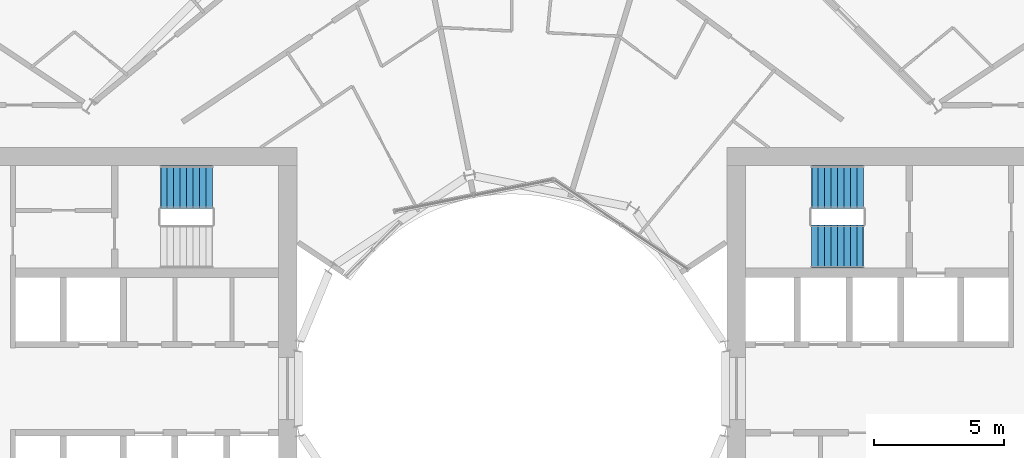
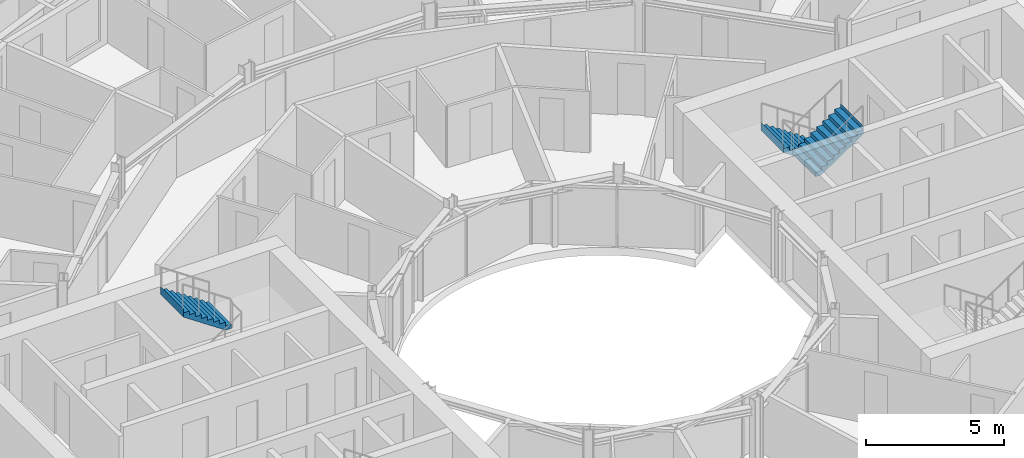
# One storey, part 24 of 26: 3 stair flights, 2 elements without a shape of their own.
"""IFC4 building model written with IfcOpenShell, lengths in metres."""

from ifc_helpers import new_model, si_unit, direction, frame, origin, place, context, subcontext, project, spatial, triangles, material, type_object, element, aggregate, save


model = new_model("IFC4")

# Units and contexts
model_context = context("Model", 3, precision=1e-05, world=origin(), true_north=direction((0.0, 1.0)))
body_context = subcontext(model_context, "Body", "Model", "MODEL_VIEW")
ifc_project = project(units=[si_unit("LENGTHUNIT", "METRE"), si_unit("AREAUNIT", "SQUARE_METRE"), si_unit("VOLUMEUNIT", "CUBIC_METRE"), si_unit("PLANEANGLEUNIT", "RADIAN"), si_unit("MASSUNIT", "GRAM", prefix="KILO")], contexts=[model_context])

# Site, building, storey
site_placement = place(None, origin())
site = spatial("IfcSite", under=ifc_project, at=site_placement, CompositionType="ELEMENT")
building_placement = place(site_placement, origin())
building = spatial("IfcBuilding", under=site, at=building_placement, Name="Maasbend Ring Residences", CompositionType="ELEMENT")
storey_placement = place(building_placement, frame((0.0, 0.0, 91.050048828125)))
storey = spatial("IfcBuildingStorey", under=building, at=storey_placement, Name="L26", CompositionType="ELEMENT", Elevation=91.050048828125)

# Stair, stair flights
ifc_material_1 = material(Name="Concrete C40/50", Category="concrete")
stair_type = type_object("IfcStairType", Name="CORE STAIR 18 RISERS", PredefinedType="HALF_TURN_STAIR", material=ifc_material_1)
stair_1_placement = place(storey_placement, origin())
stair_1 = element("IfcStair", 1, at=stair_1_placement, inside=storey, type_object=stair_type, Name="L26 Exit stair ST-E1", PredefinedType="HALF_TURN_STAIR")
ifc_material_2 = material(Name="Concrete C40/50", Category="concrete")
stair_flight_type = type_object("IfcStairFlightType", Name="CORE STAIR FLIGHT 1650", PredefinedType="STRAIGHT", material=ifc_material_2)
stair_flight_1_placement = place(storey_placement, frame((13.550048828125, 7.77490234375, 0.0), z_axis=(0.0, 0.0, 1.0), x_axis=(-1.0, 0.0, 0.0)))
stair_flight_1 = element("IfcStairFlight", 2, at=stair_flight_1_placement, type_object=stair_flight_type, Name="ST-E1 flight 1", NumberOfRisers=9, NumberOfTreads=8, PredefinedType="STRAIGHT", RiserHeight=0.169444444, TreadLength=0.25, context=body_context, shape_type="Tessellation", body=[
    triangles([(0.24072265625, 0.824951171875, -0.02001953125), (2.0029296875, 0.824951171875, 1.174560546875), (2.0029296875, 0.824951171875, 1.52490234375), (1.989990234375, 0.824951171875, 1.35546875), (1.75, 0.824951171875, 1.35546875), (1.75, 0.824951171875, 1.18603515625), (1.5, 0.824951171875, 1.18603515625), (1.5, 0.824951171875, 1.0166015625), (1.25, 0.824951171875, 1.0166015625), (1.25, 0.824951171875, 0.84716796875), (1.0, 0.824951171875, 0.84716796875), (1.0, 0.824951171875, 0.677734375), (0.75, 0.824951171875, 0.677734375), (0.75, 0.824951171875, 0.50830078125), (0.5, 0.824951171875, 0.50830078125), (0.5, 0.824951171875, 0.3388671875), (0.25, 0.824951171875, 0.3388671875), (0.25, 0.824951171875, 0.16943359375), (0.0, 0.824951171875, 0.16943359375), (0.0, 0.824951171875, 0.0), (-0.0029296875, 0.824951171875, 0.0), (-0.0029296875, 0.824951171875, -0.02001953125), (0.24072265625, 0.27490234375, -0.02001953125), (2.0029296875, 0.27490234375, 1.174560546875), (2.0029296875, 0.27490234375, 1.52490234375), (1.989990234375, 0.27490234375, 1.35546875), (1.75, 0.27490234375, 1.35546875), (1.75, 0.27490234375, 1.18603515625), (1.5, 0.27490234375, 1.18603515625), (1.5, 0.27490234375, 1.0166015625), (1.25, 0.27490234375, 1.0166015625), (1.25, 0.27490234375, 0.84716796875), (1.0, 0.27490234375, 0.84716796875), (1.0, 0.27490234375, 0.677734375), (0.75, 0.27490234375, 0.677734375), (0.75, 0.27490234375, 0.50830078125), (0.5, 0.27490234375, 0.50830078125), (0.5, 0.27490234375, 0.3388671875), (0.25, 0.27490234375, 0.3388671875), (0.25, 0.27490234375, 0.16943359375), (0.0, 0.27490234375, 0.16943359375), (0.0, 0.27490234375, 0.0), (-0.0029296875, 0.27490234375, 0.0), (-0.0029296875, 0.27490234375, -0.02001953125), (0.24072265625, -0.27490234375, -0.02001953125), (2.0029296875, -0.27490234375, 1.174560546875), (2.0029296875, -0.27490234375, 1.52490234375), (1.989990234375, -0.27490234375, 1.35546875), (1.75, -0.27490234375, 1.35546875), (1.75, -0.27490234375, 1.18603515625), (1.5, -0.27490234375, 1.18603515625), (1.5, -0.27490234375, 1.0166015625), (1.25, -0.27490234375, 1.0166015625), (1.25, -0.27490234375, 0.84716796875), (1.0, -0.27490234375, 0.84716796875), (1.0, -0.27490234375, 0.677734375), (0.75, -0.27490234375, 0.677734375), (0.75, -0.27490234375, 0.50830078125), (0.5, -0.27490234375, 0.50830078125), (0.5, -0.27490234375, 0.3388671875), (0.25, -0.27490234375, 0.3388671875), (0.25, -0.27490234375, 0.16943359375), (0.0, -0.27490234375, 0.16943359375), (0.0, -0.27490234375, 0.0), (-0.0029296875, -0.27490234375, 0.0), (-0.0029296875, -0.27490234375, -0.02001953125), (0.24072265625, -0.824951171875, -0.02001953125), (2.0029296875, -0.824951171875, 1.174560546875), (2.0029296875, -0.824951171875, 1.52490234375), (1.989990234375, -0.824951171875, 1.35546875), (1.75, -0.824951171875, 1.35546875), (1.75, -0.824951171875, 1.18603515625), (1.5, -0.824951171875, 1.18603515625), (1.5, -0.824951171875, 1.0166015625), (1.25, -0.824951171875, 1.0166015625), (1.25, -0.824951171875, 0.84716796875), (1.0, -0.824951171875, 0.84716796875), (1.0, -0.824951171875, 0.677734375), (0.75, -0.824951171875, 0.677734375), (0.75, -0.824951171875, 0.50830078125), (0.5, -0.824951171875, 0.50830078125), (0.5, -0.824951171875, 0.3388671875), (0.25, -0.824951171875, 0.3388671875), (0.25, -0.824951171875, 0.16943359375), (0.0, -0.824951171875, 0.16943359375), (0.0, -0.824951171875, 0.0), (-0.0029296875, -0.824951171875, 0.0), (-0.0029296875, -0.824951171875, -0.02001953125)], [[1, 2, 24], [1, 24, 23], [23, 24, 46], [23, 46, 45], [45, 46, 68], [45, 68, 67], [2, 3, 25], [2, 25, 24], [24, 25, 47], [24, 47, 46], [46, 47, 69], [46, 69, 68], [3, 4, 26], [3, 26, 25], [25, 26, 48], [25, 48, 47], [47, 48, 70], [47, 70, 69], [4, 5, 27], [4, 27, 26], [26, 27, 49], [26, 49, 48], [48, 49, 71], [48, 71, 70], [5, 6, 28], [5, 28, 27], [27, 28, 50], [27, 50, 49], [49, 50, 72], [49, 72, 71], [6, 7, 29], [6, 29, 28], [28, 29, 51], [28, 51, 50], [50, 51, 73], [50, 73, 72], [7, 8, 30], [7, 30, 29], [29, 30, 52], [29, 52, 51], [51, 52, 74], [51, 74, 73], [8, 9, 31], [8, 31, 30], [30, 31, 53], [30, 53, 52], [52, 53, 75], [52, 75, 74], [9, 10, 32], [9, 32, 31], [31, 32, 54], [31, 54, 53], [53, 54, 76], [53, 76, 75], [10, 11, 33], [10, 33, 32], [32, 33, 55], [32, 55, 54], [54, 55, 77], [54, 77, 76], [11, 12, 34], [11, 34, 33], [33, 34, 56], [33, 56, 55], [55, 56, 78], [55, 78, 77], [12, 13, 35], [12, 35, 34], [34, 35, 57], [34, 57, 56], [56, 57, 79], [56, 79, 78], [13, 14, 36], [13, 36, 35], [35, 36, 58], [35, 58, 57], [57, 58, 80], [57, 80, 79], [14, 15, 37], [14, 37, 36], [36, 37, 59], [36, 59, 58], [58, 59, 81], [58, 81, 80], [15, 16, 38], [15, 38, 37], [37, 38, 60], [37, 60, 59], [59, 60, 82], [59, 82, 81], [16, 17, 39], [16, 39, 38], [38, 39, 61], [38, 61, 60], [60, 61, 83], [60, 83, 82], [17, 18, 40], [17, 40, 39], [39, 40, 62], [39, 62, 61], [61, 62, 84], [61, 84, 83], [18, 19, 41], [18, 41, 40], [40, 41, 63], [40, 63, 62], [62, 63, 85], [62, 85, 84], [19, 20, 42], [19, 42, 41], [41, 42, 64], [41, 64, 63], [63, 64, 86], [63, 86, 85], [20, 21, 43], [20, 43, 42], [42, 43, 65], [42, 65, 64], [64, 65, 87], [64, 87, 86], [21, 22, 44], [21, 44, 43], [43, 44, 66], [43, 66, 65], [65, 66, 88], [65, 88, 87], [22, 1, 23], [22, 23, 44], [44, 23, 45], [44, 45, 66], [66, 45, 67], [66, 67, 88], [22, 2, 1], [2, 4, 3], [2, 5, 4], [2, 6, 5], [22, 6, 2], [6, 8, 7], [22, 8, 6], [8, 10, 9], [22, 10, 8], [10, 12, 11], [22, 12, 10], [12, 14, 13], [22, 14, 12], [14, 16, 15], [22, 16, 14], [16, 18, 17], [22, 18, 16], [18, 20, 19], [22, 20, 18], [20, 22, 21], [88, 67, 68], [68, 69, 70], [68, 70, 71], [68, 71, 72], [88, 68, 72], [72, 73, 74], [88, 72, 74], [74, 75, 76], [88, 74, 76], [76, 77, 78], [88, 76, 78], [78, 79, 80], [88, 78, 80], [80, 81, 82], [88, 80, 82], [82, 83, 84], [88, 82, 84], [84, 85, 86], [88, 84, 86], [86, 87, 88]], closed=True),
])
stair_flight_2_placement = place(storey_placement, frame((11.550048828125, 5.47509765625, 1.52490234375), z_axis=(0.0, 0.0, 1.0), x_axis=(1.0, 0.0, 0.0)))
stair_flight_2 = element("IfcStairFlight", 3, at=stair_flight_2_placement, type_object=stair_flight_type, Name="ST-E1 flight 2", NumberOfRisers=9, NumberOfTreads=8, PredefinedType="STRAIGHT", RiserHeight=0.169444444, TreadLength=0.25, context=body_context, shape_type="Tessellation", body=[
    triangles([(0.24072265625, 0.824951171875, -0.02001953125), (2.0029296875, 0.824951171875, 1.174560546875), (2.0029296875, 0.824951171875, 1.52490234375), (1.989990234375, 0.824951171875, 1.35546875), (1.75, 0.824951171875, 1.35546875), (1.75, 0.824951171875, 1.18603515625), (1.5, 0.824951171875, 1.18603515625), (1.5, 0.824951171875, 1.0166015625), (1.25, 0.824951171875, 1.0166015625), (1.25, 0.824951171875, 0.84716796875), (1.0, 0.824951171875, 0.84716796875), (1.0, 0.824951171875, 0.677734375), (0.75, 0.824951171875, 0.677734375), (0.75, 0.824951171875, 0.50830078125), (0.5, 0.824951171875, 0.50830078125), (0.5, 0.824951171875, 0.3388671875), (0.25, 0.824951171875, 0.3388671875), (0.25, 0.824951171875, 0.16943359375), (0.0, 0.824951171875, 0.16943359375), (0.0, 0.824951171875, 0.0), (-0.0029296875, 0.824951171875, 0.0), (-0.0029296875, 0.824951171875, -0.02001953125), (0.24072265625, 0.27490234375, -0.02001953125), (2.0029296875, 0.27490234375, 1.174560546875), (2.0029296875, 0.27490234375, 1.52490234375), (1.989990234375, 0.27490234375, 1.35546875), (1.75, 0.27490234375, 1.35546875), (1.75, 0.27490234375, 1.18603515625), (1.5, 0.27490234375, 1.18603515625), (1.5, 0.27490234375, 1.0166015625), (1.25, 0.27490234375, 1.0166015625), (1.25, 0.27490234375, 0.84716796875), (1.0, 0.27490234375, 0.84716796875), (1.0, 0.27490234375, 0.677734375), (0.75, 0.27490234375, 0.677734375), (0.75, 0.27490234375, 0.50830078125), (0.5, 0.27490234375, 0.50830078125), (0.5, 0.27490234375, 0.3388671875), (0.25, 0.27490234375, 0.3388671875), (0.25, 0.27490234375, 0.16943359375), (0.0, 0.27490234375, 0.16943359375), (0.0, 0.27490234375, 0.0), (-0.0029296875, 0.27490234375, 0.0), (-0.0029296875, 0.27490234375, -0.02001953125), (0.24072265625, -0.27490234375, -0.02001953125), (2.0029296875, -0.27490234375, 1.174560546875), (2.0029296875, -0.27490234375, 1.52490234375), (1.989990234375, -0.27490234375, 1.35546875), (1.75, -0.27490234375, 1.35546875), (1.75, -0.27490234375, 1.18603515625), (1.5, -0.27490234375, 1.18603515625), (1.5, -0.27490234375, 1.0166015625), (1.25, -0.27490234375, 1.0166015625), (1.25, -0.27490234375, 0.84716796875), (1.0, -0.27490234375, 0.84716796875), (1.0, -0.27490234375, 0.677734375), (0.75, -0.27490234375, 0.677734375), (0.75, -0.27490234375, 0.50830078125), (0.5, -0.27490234375, 0.50830078125), (0.5, -0.27490234375, 0.3388671875), (0.25, -0.27490234375, 0.3388671875), (0.25, -0.27490234375, 0.16943359375), (0.0, -0.27490234375, 0.16943359375), (0.0, -0.27490234375, 0.0), (-0.0029296875, -0.27490234375, 0.0), (-0.0029296875, -0.27490234375, -0.02001953125), (0.24072265625, -0.824951171875, -0.02001953125), (2.0029296875, -0.824951171875, 1.174560546875), (2.0029296875, -0.824951171875, 1.52490234375), (1.989990234375, -0.824951171875, 1.35546875), (1.75, -0.824951171875, 1.35546875), (1.75, -0.824951171875, 1.18603515625), (1.5, -0.824951171875, 1.18603515625), (1.5, -0.824951171875, 1.0166015625), (1.25, -0.824951171875, 1.0166015625), (1.25, -0.824951171875, 0.84716796875), (1.0, -0.824951171875, 0.84716796875), (1.0, -0.824951171875, 0.677734375), (0.75, -0.824951171875, 0.677734375), (0.75, -0.824951171875, 0.50830078125), (0.5, -0.824951171875, 0.50830078125), (0.5, -0.824951171875, 0.3388671875), (0.25, -0.824951171875, 0.3388671875), (0.25, -0.824951171875, 0.16943359375), (0.0, -0.824951171875, 0.16943359375), (0.0, -0.824951171875, 0.0), (-0.0029296875, -0.824951171875, 0.0), (-0.0029296875, -0.824951171875, -0.02001953125)], [[1, 2, 24], [1, 24, 23], [23, 24, 46], [23, 46, 45], [45, 46, 68], [45, 68, 67], [2, 3, 25], [2, 25, 24], [24, 25, 47], [24, 47, 46], [46, 47, 69], [46, 69, 68], [3, 4, 26], [3, 26, 25], [25, 26, 48], [25, 48, 47], [47, 48, 70], [47, 70, 69], [4, 5, 27], [4, 27, 26], [26, 27, 49], [26, 49, 48], [48, 49, 71], [48, 71, 70], [5, 6, 28], [5, 28, 27], [27, 28, 50], [27, 50, 49], [49, 50, 72], [49, 72, 71], [6, 7, 29], [6, 29, 28], [28, 29, 51], [28, 51, 50], [50, 51, 73], [50, 73, 72], [7, 8, 30], [7, 30, 29], [29, 30, 52], [29, 52, 51], [51, 52, 74], [51, 74, 73], [8, 9, 31], [8, 31, 30], [30, 31, 53], [30, 53, 52], [52, 53, 75], [52, 75, 74], [9, 10, 32], [9, 32, 31], [31, 32, 54], [31, 54, 53], [53, 54, 76], [53, 76, 75], [10, 11, 33], [10, 33, 32], [32, 33, 55], [32, 55, 54], [54, 55, 77], [54, 77, 76], [11, 12, 34], [11, 34, 33], [33, 34, 56], [33, 56, 55], [55, 56, 78], [55, 78, 77], [12, 13, 35], [12, 35, 34], [34, 35, 57], [34, 57, 56], [56, 57, 79], [56, 79, 78], [13, 14, 36], [13, 36, 35], [35, 36, 58], [35, 58, 57], [57, 58, 80], [57, 80, 79], [14, 15, 37], [14, 37, 36], [36, 37, 59], [36, 59, 58], [58, 59, 81], [58, 81, 80], [15, 16, 38], [15, 38, 37], [37, 38, 60], [37, 60, 59], [59, 60, 82], [59, 82, 81], [16, 17, 39], [16, 39, 38], [38, 39, 61], [38, 61, 60], [60, 61, 83], [60, 83, 82], [17, 18, 40], [17, 40, 39], [39, 40, 62], [39, 62, 61], [61, 62, 84], [61, 84, 83], [18, 19, 41], [18, 41, 40], [40, 41, 63], [40, 63, 62], [62, 63, 85], [62, 85, 84], [19, 20, 42], [19, 42, 41], [41, 42, 64], [41, 64, 63], [63, 64, 86], [63, 86, 85], [20, 21, 43], [20, 43, 42], [42, 43, 65], [42, 65, 64], [64, 65, 87], [64, 87, 86], [21, 22, 44], [21, 44, 43], [43, 44, 66], [43, 66, 65], [65, 66, 88], [65, 88, 87], [22, 1, 23], [22, 23, 44], [44, 23, 45], [44, 45, 66], [66, 45, 67], [66, 67, 88], [22, 2, 1], [2, 4, 3], [2, 5, 4], [2, 6, 5], [22, 6, 2], [6, 8, 7], [22, 8, 6], [8, 10, 9], [22, 10, 8], [10, 12, 11], [22, 12, 10], [12, 14, 13], [22, 14, 12], [14, 16, 15], [22, 16, 14], [16, 18, 17], [22, 18, 16], [18, 20, 19], [22, 20, 18], [20, 22, 21], [88, 67, 68], [68, 69, 70], [68, 70, 71], [68, 71, 72], [88, 68, 72], [72, 73, 74], [88, 72, 74], [74, 75, 76], [88, 74, 76], [76, 77, 78], [88, 76, 78], [78, 79, 80], [88, 78, 80], [80, 81, 82], [88, 80, 82], [82, 83, 84], [88, 82, 84], [84, 85, 86], [88, 84, 86], [86, 87, 88]], closed=True),
])
aggregate(stair_1, [stair_flight_1, stair_flight_2])

# Stair, stair flight
stair_2_placement = place(storey_placement, origin())
stair_2 = element("IfcStair", 4, at=stair_2_placement, inside=storey, type_object=stair_type, Name="L26 Exit stair ST-W2", PredefinedType="HALF_TURN_STAIR")
stair_flight_3_placement = place(storey_placement, frame((-11.550048828125, 7.77490234375, 1.52490234375), z_axis=(0.0, 0.0, 1.0), x_axis=(-1.0, 0.0, 0.0)))
stair_flight_3 = element("IfcStairFlight", 5, at=stair_flight_3_placement, type_object=stair_flight_type, Name="ST-W2 flight 2", NumberOfRisers=9, NumberOfTreads=8, PredefinedType="STRAIGHT", RiserHeight=0.169444444, TreadLength=0.25, context=body_context, shape_type="Tessellation", body=[
    triangles([(0.24072265625, 0.824951171875, -0.02001953125), (2.0029296875, 0.824951171875, 1.174560546875), (2.0029296875, 0.824951171875, 1.52490234375), (1.989990234375, 0.824951171875, 1.35546875), (1.75, 0.824951171875, 1.35546875), (1.75, 0.824951171875, 1.18603515625), (1.5, 0.824951171875, 1.18603515625), (1.5, 0.824951171875, 1.0166015625), (1.25, 0.824951171875, 1.0166015625), (1.25, 0.824951171875, 0.84716796875), (1.0, 0.824951171875, 0.84716796875), (1.0, 0.824951171875, 0.677734375), (0.75, 0.824951171875, 0.677734375), (0.75, 0.824951171875, 0.50830078125), (0.5, 0.824951171875, 0.50830078125), (0.5, 0.824951171875, 0.3388671875), (0.25, 0.824951171875, 0.3388671875), (0.25, 0.824951171875, 0.16943359375), (0.0, 0.824951171875, 0.16943359375), (0.0, 0.824951171875, 0.0), (-0.0029296875, 0.824951171875, 0.0), (-0.0029296875, 0.824951171875, -0.02001953125), (0.24072265625, 0.27490234375, -0.02001953125), (2.0029296875, 0.27490234375, 1.174560546875), (2.0029296875, 0.27490234375, 1.52490234375), (1.989990234375, 0.27490234375, 1.35546875), (1.75, 0.27490234375, 1.35546875), (1.75, 0.27490234375, 1.18603515625), (1.5, 0.27490234375, 1.18603515625), (1.5, 0.27490234375, 1.0166015625), (1.25, 0.27490234375, 1.0166015625), (1.25, 0.27490234375, 0.84716796875), (1.0, 0.27490234375, 0.84716796875), (1.0, 0.27490234375, 0.677734375), (0.75, 0.27490234375, 0.677734375), (0.75, 0.27490234375, 0.50830078125), (0.5, 0.27490234375, 0.50830078125), (0.5, 0.27490234375, 0.3388671875), (0.25, 0.27490234375, 0.3388671875), (0.25, 0.27490234375, 0.16943359375), (0.0, 0.27490234375, 0.16943359375), (0.0, 0.27490234375, 0.0), (-0.0029296875, 0.27490234375, 0.0), (-0.0029296875, 0.27490234375, -0.02001953125), (0.24072265625, -0.27490234375, -0.02001953125), (2.0029296875, -0.27490234375, 1.174560546875), (2.0029296875, -0.27490234375, 1.52490234375), (1.989990234375, -0.27490234375, 1.35546875), (1.75, -0.27490234375, 1.35546875), (1.75, -0.27490234375, 1.18603515625), (1.5, -0.27490234375, 1.18603515625), (1.5, -0.27490234375, 1.0166015625), (1.25, -0.27490234375, 1.0166015625), (1.25, -0.27490234375, 0.84716796875), (1.0, -0.27490234375, 0.84716796875), (1.0, -0.27490234375, 0.677734375), (0.75, -0.27490234375, 0.677734375), (0.75, -0.27490234375, 0.50830078125), (0.5, -0.27490234375, 0.50830078125), (0.5, -0.27490234375, 0.3388671875), (0.25, -0.27490234375, 0.3388671875), (0.25, -0.27490234375, 0.16943359375), (0.0, -0.27490234375, 0.16943359375), (0.0, -0.27490234375, 0.0), (-0.0029296875, -0.27490234375, 0.0), (-0.0029296875, -0.27490234375, -0.02001953125), (0.24072265625, -0.824951171875, -0.02001953125), (2.0029296875, -0.824951171875, 1.174560546875), (2.0029296875, -0.824951171875, 1.52490234375), (1.989990234375, -0.824951171875, 1.35546875), (1.75, -0.824951171875, 1.35546875), (1.75, -0.824951171875, 1.18603515625), (1.5, -0.824951171875, 1.18603515625), (1.5, -0.824951171875, 1.0166015625), (1.25, -0.824951171875, 1.0166015625), (1.25, -0.824951171875, 0.84716796875), (1.0, -0.824951171875, 0.84716796875), (1.0, -0.824951171875, 0.677734375), (0.75, -0.824951171875, 0.677734375), (0.75, -0.824951171875, 0.50830078125), (0.5, -0.824951171875, 0.50830078125), (0.5, -0.824951171875, 0.3388671875), (0.25, -0.824951171875, 0.3388671875), (0.25, -0.824951171875, 0.16943359375), (0.0, -0.824951171875, 0.16943359375), (0.0, -0.824951171875, 0.0), (-0.0029296875, -0.824951171875, 0.0), (-0.0029296875, -0.824951171875, -0.02001953125)], [[1, 2, 24], [1, 24, 23], [23, 24, 46], [23, 46, 45], [45, 46, 68], [45, 68, 67], [2, 3, 25], [2, 25, 24], [24, 25, 47], [24, 47, 46], [46, 47, 69], [46, 69, 68], [3, 4, 26], [3, 26, 25], [25, 26, 48], [25, 48, 47], [47, 48, 70], [47, 70, 69], [4, 5, 27], [4, 27, 26], [26, 27, 49], [26, 49, 48], [48, 49, 71], [48, 71, 70], [5, 6, 28], [5, 28, 27], [27, 28, 50], [27, 50, 49], [49, 50, 72], [49, 72, 71], [6, 7, 29], [6, 29, 28], [28, 29, 51], [28, 51, 50], [50, 51, 73], [50, 73, 72], [7, 8, 30], [7, 30, 29], [29, 30, 52], [29, 52, 51], [51, 52, 74], [51, 74, 73], [8, 9, 31], [8, 31, 30], [30, 31, 53], [30, 53, 52], [52, 53, 75], [52, 75, 74], [9, 10, 32], [9, 32, 31], [31, 32, 54], [31, 54, 53], [53, 54, 76], [53, 76, 75], [10, 11, 33], [10, 33, 32], [32, 33, 55], [32, 55, 54], [54, 55, 77], [54, 77, 76], [11, 12, 34], [11, 34, 33], [33, 34, 56], [33, 56, 55], [55, 56, 78], [55, 78, 77], [12, 13, 35], [12, 35, 34], [34, 35, 57], [34, 57, 56], [56, 57, 79], [56, 79, 78], [13, 14, 36], [13, 36, 35], [35, 36, 58], [35, 58, 57], [57, 58, 80], [57, 80, 79], [14, 15, 37], [14, 37, 36], [36, 37, 59], [36, 59, 58], [58, 59, 81], [58, 81, 80], [15, 16, 38], [15, 38, 37], [37, 38, 60], [37, 60, 59], [59, 60, 82], [59, 82, 81], [16, 17, 39], [16, 39, 38], [38, 39, 61], [38, 61, 60], [60, 61, 83], [60, 83, 82], [17, 18, 40], [17, 40, 39], [39, 40, 62], [39, 62, 61], [61, 62, 84], [61, 84, 83], [18, 19, 41], [18, 41, 40], [40, 41, 63], [40, 63, 62], [62, 63, 85], [62, 85, 84], [19, 20, 42], [19, 42, 41], [41, 42, 64], [41, 64, 63], [63, 64, 86], [63, 86, 85], [20, 21, 43], [20, 43, 42], [42, 43, 65], [42, 65, 64], [64, 65, 87], [64, 87, 86], [21, 22, 44], [21, 44, 43], [43, 44, 66], [43, 66, 65], [65, 66, 88], [65, 88, 87], [22, 1, 23], [22, 23, 44], [44, 23, 45], [44, 45, 66], [66, 45, 67], [66, 67, 88], [22, 2, 1], [2, 4, 3], [2, 5, 4], [2, 6, 5], [22, 6, 2], [6, 8, 7], [22, 8, 6], [8, 10, 9], [22, 10, 8], [10, 12, 11], [22, 12, 10], [12, 14, 13], [22, 14, 12], [14, 16, 15], [22, 16, 14], [16, 18, 17], [22, 18, 16], [18, 20, 19], [22, 20, 18], [20, 22, 21], [88, 67, 68], [68, 69, 70], [68, 70, 71], [68, 71, 72], [88, 68, 72], [72, 73, 74], [88, 72, 74], [74, 75, 76], [88, 74, 76], [76, 77, 78], [88, 76, 78], [78, 79, 80], [88, 78, 80], [80, 81, 82], [88, 80, 82], [82, 83, 84], [88, 82, 84], [84, 85, 86], [88, 84, 86], [86, 87, 88]], closed=True),
])
aggregate(stair_2, [stair_flight_3])

save(model, "model.ifc")
